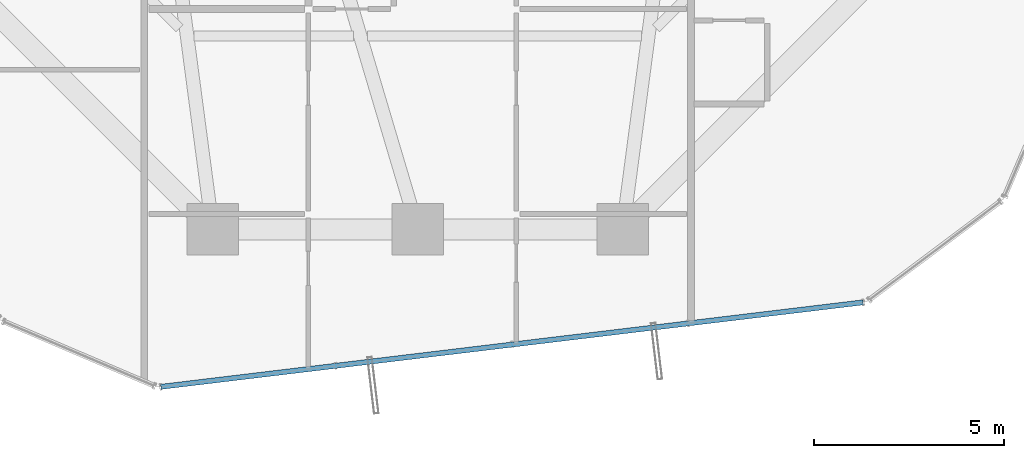
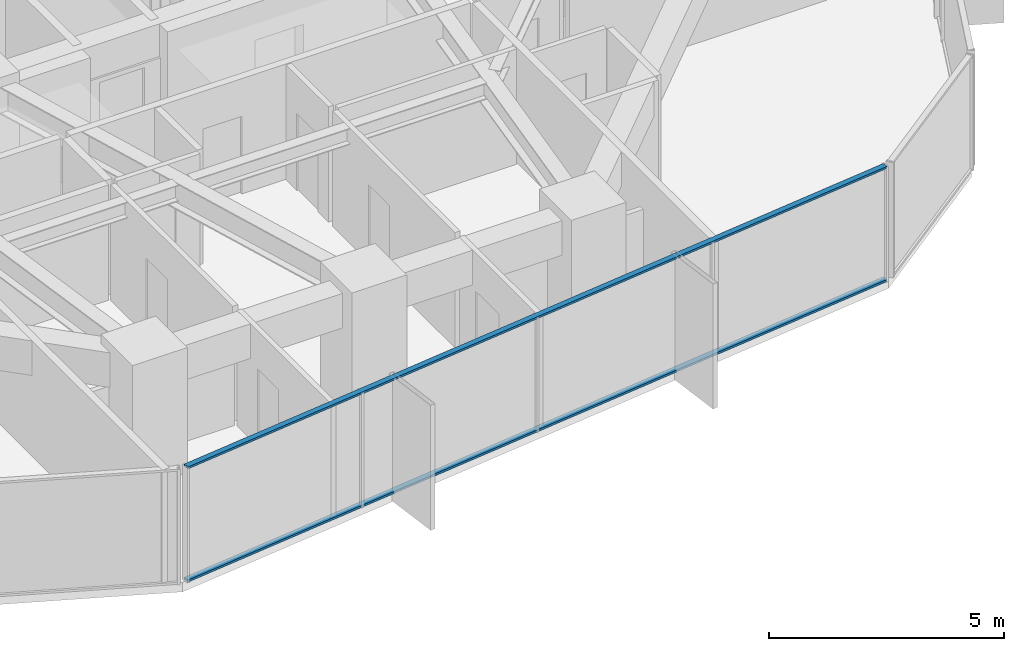
# One storey, part 7 of 37: 2 members, 1 element without a shape of its own.
"""IFC4 building model written with IfcOpenShell, lengths in metres."""

from ifc_helpers import new_model, si_unit, direction, frame, origin, origin_2d, place, context, subcontext, project, spatial, hollow_rectangle, extrude, source, transform, mapped, material, layer, layer_set, material_profile, profile_set, type_object, element, aggregate, save


model = new_model("IFC4")

# Units and contexts
model_context = context("Model", 3, precision=1e-05, world=origin(), true_north=direction((0.0, 1.0)))
body_context = subcontext(model_context, "Body", "Model", "MODEL_VIEW")
ifc_project = project(units=[si_unit("LENGTHUNIT", "METRE"), si_unit("AREAUNIT", "SQUARE_METRE"), si_unit("VOLUMEUNIT", "CUBIC_METRE"), si_unit("PLANEANGLEUNIT", "RADIAN"), si_unit("MASSUNIT", "GRAM", prefix="KILO")], contexts=[model_context])

# Site, building, storey
site_placement = place(None, origin())
site = spatial("IfcSite", under=ifc_project, at=site_placement, CompositionType="ELEMENT")
building_placement = place(site_placement, origin())
building = spatial("IfcBuilding", under=site, at=building_placement, Name="Veraguas Prism Commons", CompositionType="ELEMENT")
storey_placement = place(building_placement, frame((0.0, 0.0, 46.800048828125)))
storey = spatial("IfcBuildingStorey", under=building, at=storey_placement, Name="L12", CompositionType="ELEMENT", Elevation=46.800048828125)

# Curtain wall, members
ifc_material = material(Name="Anodised aluminium EN AW-6063 T6", Category="aluminium")
ifc_layer = layer(ifc_material, 0.169921875, Name="Unitised Flush Curtain Wall Zone 1", Category="aluminium")
ifc_layer_set = layer_set([ifc_layer], Name="Anodised aluminium EN AW-6063 T6")
curtain_wall_type = type_object("IfcCurtainWallType", Name="Unitised Flush Curtain Wall Zone 1", PredefinedType="NOTDEFINED", material=ifc_layer_set)
curtain_wall_placement = place(storey_placement, origin())
curtain_wall = element("IfcCurtainWall", 1, at=curtain_wall_placement, inside=storey, type_object=curtain_wall_type, Name="Tower Facade Curtain Wall L12-F5", PredefinedType="NOTDEFINED")
ifc_material_profile = material_profile(ifc_material, hollow_rectangle(XDim=0.054931640625, YDim=0.135009765625, WallThickness=0.0029296875, at=origin_2d()), Name="AL55X135X3")
ifc_profile_set = profile_set([ifc_material_profile], Name="Anodised aluminium EN AW-6063 T6")
member_type = type_object("IfcMemberType", Name="Curtain Wall Transom Standard AL 55x135x3", PredefinedType="USERDEFINED", material=ifc_profile_set)
shared_shape = source(origin(), body_context, "Body", "SweptSolid", [
    extrude(hollow_rectangle(XDim=0.054931640625, YDim=0.135009765625, WallThickness=0.0029296875, at=origin_2d()), origin(), (0.0, 0.0, 1.0), 18.623779296875),
])
member_1_placement = place(storey_placement, frame((17.2373046875, 2.251953125, 0.02734375), z_axis=(0.992841810588, 0.119436757942, 0.0), x_axis=(0.0, 0.0, 1.0)))
member_1 = element("IfcMember", 2, at=member_1_placement, type_object=member_type, Name="CW-Z1 Transom 1", ObjectType="TRANSOM", PredefinedType="USERDEFINED", context=body_context, shape_type="MappedRepresentation", body=[
    mapped(shared_shape, transform((0.0, 0.0, 0.0), scale=1.0)),
])
member_2_placement = place(storey_placement, frame((17.2373046875, 2.251953125, 2.972412109375), z_axis=(0.992841810588, 0.119436757942, 0.0), x_axis=(0.0, 0.0, 1.0)))
member_2 = element("IfcMember", 3, at=member_2_placement, type_object=member_type, Name="CW-Z1 Transom 2", ObjectType="TRANSOM", PredefinedType="USERDEFINED", context=body_context, shape_type="MappedRepresentation", body=[
    mapped(shared_shape, transform((0.0, 0.0, 0.0), scale=1.0)),
])
aggregate(curtain_wall, [member_1, member_2])

save(model, "model.ifc")
